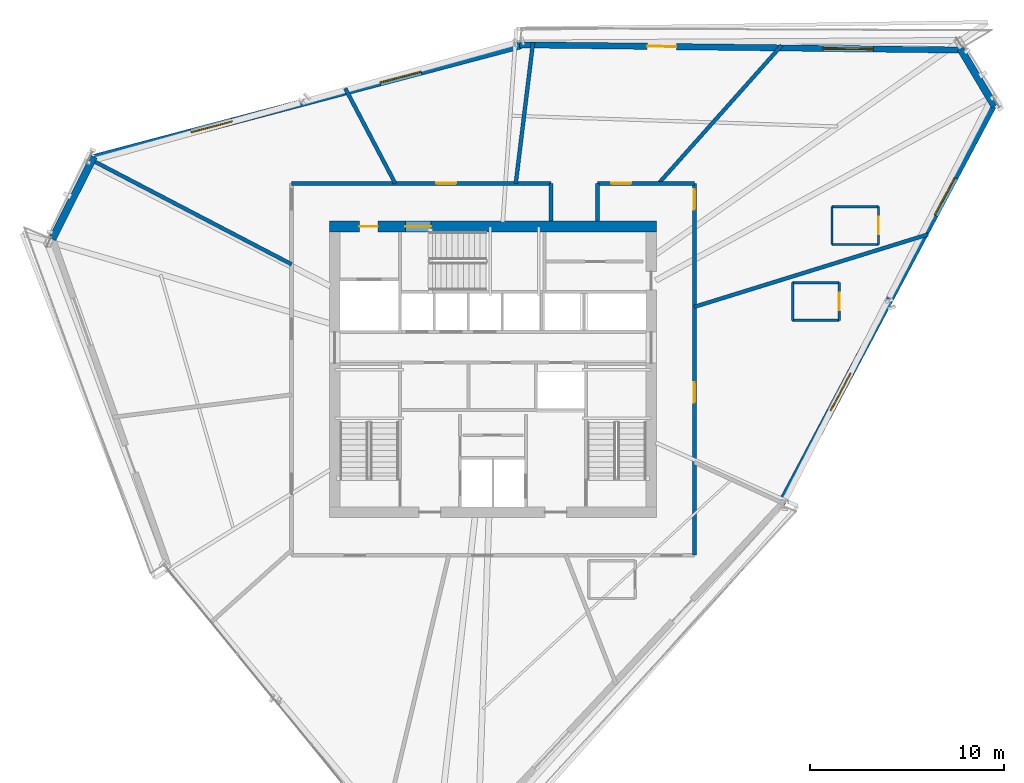
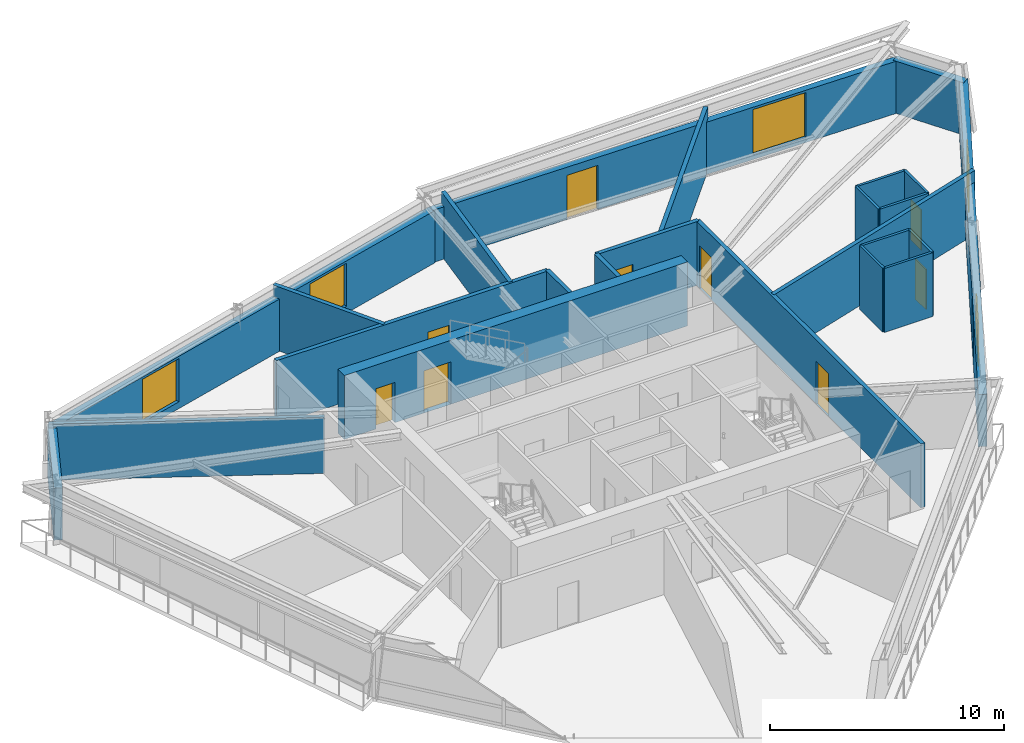
# One storey, part 11 of 15: 24 walls, 9 doors, 5 windows, 14 openings.
"""IFC4 building model written with IfcOpenShell, lengths in metres."""

from ifc_helpers import new_model, si_unit, direction, frame, frame_2d, origin, place, context, subcontext, project, spatial, rectangle, extrude, source, transform, mapped, material, layer, layer_set, type_object, type_shapes, element, fill, save


model = new_model("IFC4")

# Units and contexts
model_context = context("Model", 3, precision=1e-05, world=origin(), true_north=direction((0.0, 1.0)))
body_context = subcontext(model_context, "Body", "Model", "MODEL_VIEW")
ifc_project = project(units=[si_unit("LENGTHUNIT", "METRE"), si_unit("AREAUNIT", "SQUARE_METRE"), si_unit("VOLUMEUNIT", "CUBIC_METRE"), si_unit("PLANEANGLEUNIT", "RADIAN"), si_unit("MASSUNIT", "GRAM", prefix="KILO")], contexts=[model_context])

# Site, building, storey
site_placement = place(None, origin())
site = spatial("IfcSite", under=ifc_project, at=site_placement, CompositionType="ELEMENT")
building_placement = place(site_placement, origin())
building = spatial("IfcBuilding", under=site, at=building_placement, Name="Olszyna Solenne Hotel", CompositionType="ELEMENT")
storey_placement = place(building_placement, frame((0.0, 0.0, 160.800048828125)))
storey = spatial("IfcBuildingStorey", under=building, at=storey_placement, Name="L42", CompositionType="ELEMENT", Elevation=160.800048828125)

# Wall, openings, doors
ifc_material_1 = material(Name="Concrete C50/60", Category="concrete")
ifc_layer_1 = layer(ifc_material_1, 0.550048828125, Name="Concrete C50/60")
ifc_layer_set_1 = layer_set([ifc_layer_1], Name="Concrete C50/60")
wall_type_1 = type_object("IfcWallType", Name="WL-CR550", PredefinedType="SHEAR", material=ifc_layer_set_1)
wall_1_placement = place(storey_placement, frame((29.550048828125, 33.97509765625, 0.0), z_axis=(0.0, 0.0, 1.0), x_axis=(1.0, 0.0, 0.0)))
wall_1 = element("IfcWall", 1, at=wall_1_placement, inside=storey, type_object=wall_type_1, Name="Core shear wall WL-CR550 CRW-L42-N", PredefinedType="SHEAR", context=body_context, shape_type="SweptSolid", body=[
    extrude(rectangle(XDim=16.89990234375, YDim=0.550048828125, at=frame_2d((8.449951171875, 0.0))), origin(), (0.0, 0.0, 1.0), 3.329833984375),
])
opening_1_placement = place(wall_1_placement, frame((1.550048828125, 0.0, 0.0)))
opening_1 = element("IfcOpeningElement", 2, at=opening_1_placement, cuts=wall_1, Name="Opening SVD-L42-01", PredefinedType="OPENING", context=body_context, shape_type="SweptSolid", body=[
    extrude(rectangle(XDim=0.949951171875, YDim=2.10009765625, at=frame_2d((0.47509765625, 1.050048828125))), frame((0.0, 0.28515625, 0.0), z_axis=(0.0, -1.0, 0.0), x_axis=(1.0, 0.0, 0.0)), (0.0, 0.0, 1.0), 0.570068359375),
])
opening_2_placement = place(wall_1_placement, frame((3.929931640625, 0.0, 0.0)))
opening_2 = element("IfcOpeningElement", 3, at=opening_2_placement, cuts=wall_1, Name="Opening STD-L42-03", PredefinedType="OPENING", context=body_context, shape_type="SweptSolid", body=[
    extrude(rectangle(XDim=1.320068359375, YDim=2.199951171875, at=frame_2d((0.66015625, 1.10009765625))), frame((0.0, 0.28515625, 0.0), z_axis=(0.0, -1.0, 0.0), x_axis=(1.0, 0.0, 0.0)), (0.0, 0.0, 1.0), 0.570068359375),
])
ifc_material_2 = material(Name="Steel S355J2", Category="steel")
door_type_1 = type_object("IfcDoorType", Name="DR-ST1", OperationType="NOTDEFINED", PredefinedType="DOOR", material=ifc_material_2)
shared_shape_1 = source(origin(), body_context, "Body", "SweptSolid", [
    extrude(rectangle(XDim=1.320068359375, YDim=2.199951171875, at=frame_2d((0.66015625, 1.10009765625))), frame((0.0, 0.02490234375, 0.0), z_axis=(0.0, -1.0, 0.0), x_axis=(1.0, 0.0, 0.0)), (0.0, 0.0, 1.0), 0.050048828125),
])
type_shapes(door_type_1, [shared_shape_1])
door_1_placement = place(opening_2_placement, origin())
door_1 = element("IfcDoor", 4, at=door_1_placement, inside=storey, type_object=door_type_1, Name="Pressurised exit stair ST3 fire door STD-L42-03", OperationType="SINGLE_SWING_RIGHT", OverallHeight=2.199951171875, OverallWidth=1.320068359375, PredefinedType="DOOR", context=body_context, shape_type="MappedRepresentation", body=[
    mapped(shared_shape_1, transform((0.0, 0.0, 0.0), x_axis=(1.0, 0.0, 0.0), y_axis=(0.0, 1.0, 0.0), z_axis=(0.0, 0.0, 1.0), scale=1.0)),
])
fill(opening_2, door_1)
door_type_2 = type_object("IfcDoorType", Name="DR-SV1", OperationType="NOTDEFINED", PredefinedType="DOOR", material=ifc_material_2)
shared_shape_2 = source(origin(), body_context, "Body", "SweptSolid", [
    extrude(rectangle(XDim=0.949951171875, YDim=2.10009765625, at=frame_2d((0.47509765625, 1.050048828125))), frame((0.0, 0.02490234375, 0.0), z_axis=(0.0, -1.0, 0.0), x_axis=(1.0, 0.0, 0.0)), (0.0, 0.0, 1.0), 0.050048828125),
])
type_shapes(door_type_2, [shared_shape_2])
door_2_placement = place(opening_1_placement, origin())
door_2 = element("IfcDoor", 5, at=door_2_placement, inside=storey, type_object=door_type_2, Name="Service lift lobby fire door SVD-L42-01", OperationType="SINGLE_SWING_LEFT", OverallHeight=2.10009765625, OverallWidth=0.949951171875, PredefinedType="DOOR", context=body_context, shape_type="MappedRepresentation", body=[
    mapped(shared_shape_2, transform((0.0, 0.0, 0.0), x_axis=(1.0, 0.0, 0.0), y_axis=(0.0, 1.0, 0.0), z_axis=(0.0, 0.0, 1.0), scale=1.0)),
])
fill(opening_1, door_2)

# Wall, openings, door, window
ifc_material_3 = material(Name="Precast concrete C45/55", Category="concrete")
ifc_layer_2 = layer(ifc_material_3, 0.320068359375, Name="Precast concrete C45/55")
ifc_layer_set_2 = layer_set([ifc_layer_2], Name="Precast concrete C45/55")
wall_type_2 = type_object("IfcWallType", Name="WL-EX320", PredefinedType="SOLIDWALL", material=ifc_layer_set_2)
wall_2_placement = place(storey_placement, frame((39.3798828125, 43.358642578125, 0.0), z_axis=(0.0, 0.0, 1.0), x_axis=(0.999929231853, -0.011896692251, 0.0)))
wall_2 = element("IfcWall", 6, at=wall_2_placement, inside=storey, type_object=wall_type_2, Name="Exterior terracotta-precast frame wall WL-EX320 EW-L42-08", PredefinedType="SOLIDWALL", context=body_context, shape_type="SweptSolid", body=[
    extrude(rectangle(XDim=22.9228515625, YDim=0.320068359375, at=frame_2d((11.46142578125, 0.0))), origin(), (0.0, 0.0, 1.0), 2.721923828125),
])
opening_3_placement = place(wall_2_placement, frame((6.5849609375, 0.0, 0.0)))
opening_3 = element("IfcOpeningElement", 7, at=opening_3_placement, cuts=wall_2, Name="Opening LDG-L42-1", PredefinedType="OPENING", context=body_context, shape_type="SweptSolid", body=[
    extrude(rectangle(XDim=1.5, YDim=2.300048828125, at=frame_2d((0.75, 1.14990234375))), frame((0.0, 0.169921875, 0.0), z_axis=(0.0, -1.0, 0.0), x_axis=(1.0, 0.0, 0.0)), (0.0, 0.0, 1.0), 0.340087890625),
])
opening_4_placement = place(wall_2_placement, frame((15.6630859375, 0.0, 0.251953125)))
opening_4 = element("IfcOpeningElement", 8, at=opening_4_placement, cuts=wall_2, Name="Opening WN-L42-259", PredefinedType="OPENING", context=body_context, shape_type="SweptSolid", body=[
    extrude(rectangle(XDim=2.60009765625, YDim=2.35009765625, at=frame_2d((1.300048828125, 1.175048828125))), frame((0.0, 0.169921875, 0.0), z_axis=(0.0, -1.0, 0.0), x_axis=(1.0, 0.0, 0.0)), (0.0, 0.0, 1.0), 0.340087890625),
])
ifc_material_4 = material(Name="Anodised bronze aluminium", Category="aluminium")
door_type_3 = type_object("IfcDoorType", Name="DR-LG2", OperationType="DOUBLE_DOOR_SINGLE_SWING", PredefinedType="DOOR", material=ifc_material_4)
shared_shape_3 = source(origin(), body_context, "Body", "SweptSolid", [
    extrude(rectangle(XDim=1.5, YDim=2.300048828125, at=frame_2d((0.75, 1.14990234375))), frame((0.0, 0.02490234375, 0.0), z_axis=(0.0, -1.0, 0.0), x_axis=(1.0, 0.0, 0.0)), (0.0, 0.0, 1.0), 0.050048828125),
])
type_shapes(door_type_3, [shared_shape_3])
door_3_placement = place(opening_3_placement, origin())
door_3 = element("IfcDoor", 9, at=door_3_placement, inside=storey, type_object=door_type_3, Name="Exterior loggia balcony door DR-LG2 LDG-L42-1", OperationType="DOUBLE_DOOR_SINGLE_SWING", OverallHeight=2.300048828125, OverallWidth=1.5, PredefinedType="DOOR", context=body_context, shape_type="MappedRepresentation", body=[
    mapped(shared_shape_3, transform((0.0, 0.0, 0.0), x_axis=(1.0, 0.0, 0.0), y_axis=(0.0, 1.0, 0.0), z_axis=(0.0, 0.0, 1.0), scale=1.0)),
])
fill(opening_3, door_3)
ifc_material_5 = material(Name="Low-E triple glazing", Category="glass")
window_type_1 = type_object("IfcWindowType", Name="WN-ST1", PartitioningType="SINGLE_PANEL", PredefinedType="WINDOW", material=ifc_material_5)
shared_shape_4 = source(origin(), body_context, "Body", "SweptSolid", [
    extrude(rectangle(XDim=2.60009765625, YDim=2.35009765625, at=frame_2d((1.300048828125, 1.175048828125))), frame((0.0, 0.030029296875, 0.0), z_axis=(0.0, -1.0, 0.0), x_axis=(1.0, 0.0, 0.0)), (0.0, 0.0, 1.0), 0.06005859375),
])
type_shapes(window_type_1, [shared_shape_4])
window_1_placement = place(opening_4_placement, origin())
window_1 = element("IfcWindow", 10, at=window_1_placement, inside=storey, type_object=window_type_1, Name="Loggia room window WN-ST1 WN-L42-259", OverallHeight=2.35009765625, OverallWidth=2.60009765625, PartitioningType="SINGLE_PANEL", PredefinedType="WINDOW", context=body_context, shape_type="MappedRepresentation", body=[
    mapped(shared_shape_4, transform((0.0, 0.0, 0.0), x_axis=(1.0, 0.0, 0.0), y_axis=(0.0, 1.0, 0.0), z_axis=(0.0, 0.0, 1.0), scale=1.0)),
])
fill(opening_4, window_1)

# Wall
ifc_material_6 = material(Name="Terracotta cladding on precast concrete C45/55", Category="masonry")
ifc_layer_3 = layer(ifc_material_6, 0.3798828125, Name="Terracotta cladding on precast concrete C45/55")
ifc_layer_set_3 = layer_set([ifc_layer_3], Name="Terracotta cladding on precast concrete C45/55")
wall_type_3 = type_object("IfcWallType", Name="WL-EX380", PredefinedType="SOLIDWALL", material=ifc_layer_set_3)
wall_3_placement = place(storey_placement, frame((15.23583984375, 33.3212890625, 0.0), z_axis=(0.0, 0.0, 1.0), x_axis=(0.450831311433, 0.892609169028, 0.0)))
element("IfcWall", 11, at=wall_3_placement, inside=storey, type_object=wall_type_3, Name="Exterior terracotta-precast frame wall WL-EX380 EW-L42-06", PredefinedType="SOLIDWALL", context=body_context, shape_type="SweptSolid", body=[
    extrude(rectangle(XDim=4.773193359375, YDim=0.3798828125, at=frame_2d((2.38671875, 0.0))), origin(), (0.0, 0.0, 1.0), 2.721923828125),
])

# Wall, openings, windows
wall_4_placement = place(storey_placement, frame((17.2666015625, 37.48388671875, 0.0), z_axis=(0.0, 0.0, 1.0), x_axis=(0.966875026681, 0.255250235613, 0.0)))
wall_4 = element("IfcWall", 12, at=wall_4_placement, inside=storey, type_object=wall_type_3, Name="Exterior terracotta-precast frame wall WL-EX380 EW-L42-07", PredefinedType="SOLIDWALL", context=body_context, shape_type="SweptSolid", body=[
    extrude(rectangle(XDim=22.9228515625, YDim=0.3798828125, at=frame_2d((11.46142578125, 0.0))), origin(), (0.0, 0.0, 1.0), 2.721923828125),
])
opening_5_placement = place(wall_4_placement, frame((5.318115234375, 0.0, 0.35205078125)))
opening_5 = element("IfcOpeningElement", 13, at=opening_5_placement, cuts=wall_4, Name="Opening WN-L42-257", PredefinedType="OPENING", context=body_context, shape_type="SweptSolid", body=[
    extrude(rectangle(XDim=2.199951171875, YDim=2.25, at=frame_2d((1.10009765625, 1.125))), frame((0.0, 0.199951171875, 0.0), z_axis=(0.0, -1.0, 0.0), x_axis=(1.0, 0.0, 0.0)), (0.0, 0.0, 1.0), 0.39990234375),
])
opening_6_placement = place(wall_4_placement, frame((15.405029296875, 0.0, 0.35205078125)))
opening_6 = element("IfcOpeningElement", 14, at=opening_6_placement, cuts=wall_4, Name="Opening WN-L42-258", PredefinedType="OPENING", context=body_context, shape_type="SweptSolid", body=[
    extrude(rectangle(XDim=2.199951171875, YDim=2.25, at=frame_2d((1.10009765625, 1.125))), frame((0.0, 0.199951171875, 0.0), z_axis=(0.0, -1.0, 0.0), x_axis=(1.0, 0.0, 0.0)), (0.0, 0.0, 1.0), 0.39990234375),
])
window_type_2 = type_object("IfcWindowType", Name="WN-HT2", PartitioningType="SINGLE_PANEL", PredefinedType="WINDOW", material=ifc_material_5)
shared_shape_5 = source(origin(), body_context, "Body", "SweptSolid", [
    extrude(rectangle(XDim=2.199951171875, YDim=2.25, at=frame_2d((1.10009765625, 1.125))), frame((0.0, 0.030029296875, 0.0), z_axis=(0.0, -1.0, 0.0), x_axis=(1.0, 0.0, 0.0)), (0.0, 0.0, 1.0), 0.06005859375),
])
type_shapes(window_type_2, [shared_shape_5])
window_2_placement = place(opening_5_placement, origin())
window_2 = element("IfcWindow", 15, at=window_2_placement, inside=storey, type_object=window_type_2, Name="Exterior facade window WN-HT2 WN-L42-257", OverallHeight=2.25, OverallWidth=2.199951171875, PartitioningType="SINGLE_PANEL", PredefinedType="WINDOW", context=body_context, shape_type="MappedRepresentation", body=[
    mapped(shared_shape_5, transform((0.0, 0.0, 0.0), x_axis=(1.0, 0.0, 0.0), y_axis=(0.0, 1.0, 0.0), z_axis=(0.0, 0.0, 1.0), scale=1.0)),
])
fill(opening_5, window_2)
window_3_placement = place(opening_6_placement, origin())
window_3 = element("IfcWindow", 16, at=window_3_placement, inside=storey, type_object=window_type_2, Name="Exterior facade window WN-HT2 WN-L42-258", OverallHeight=2.25, OverallWidth=2.199951171875, PartitioningType="SINGLE_PANEL", PredefinedType="WINDOW", context=body_context, shape_type="MappedRepresentation", body=[
    mapped(shared_shape_5, transform((0.0, 0.0, 0.0), x_axis=(1.0, 0.0, 0.0), y_axis=(0.0, 1.0, 0.0), z_axis=(0.0, 0.0, 1.0), scale=1.0)),
])
fill(opening_6, window_3)

# Wall
wall_5_placement = place(storey_placement, frame((62.1396484375, 43.14892578125, 0.0), z_axis=(0.0, 0.0, 1.0), x_axis=(0.511323081813, -0.859388565205, 0.0)))
element("IfcWall", 17, at=wall_5_placement, inside=storey, type_object=wall_type_3, Name="Exterior terracotta-precast frame wall WL-EX380 EW-L42-09", PredefinedType="SOLIDWALL", context=body_context, shape_type="SweptSolid", body=[
    extrude(rectangle(XDim=3.444091796875, YDim=0.3798828125, at=frame_2d((1.72216796875, 0.0))), origin(), (0.0, 0.0, 1.0), 2.721923828125),
])

# Wall, openings, windows
wall_6_placement = place(storey_placement, frame((63.896240234375, 40.37548828125, 0.0), z_axis=(0.0, 0.0, 1.0), x_axis=(-0.469579724412, -0.882890073804, 0.0)))
wall_6 = element("IfcWall", 18, at=wall_6_placement, inside=storey, type_object=wall_type_3, Name="Exterior terracotta-precast frame wall WL-EX380 EW-L42-10", PredefinedType="SOLIDWALL", context=body_context, shape_type="SweptSolid", body=[
    extrude(rectangle(XDim=23.503173828125, YDim=0.3798828125, at=frame_2d((11.75146484375, 0.0))), origin(), (0.0, 0.0, 1.0), 2.721923828125),
])
opening_7_placement = place(wall_6_placement, frame((4.381103515625, 0.0, 0.35205078125)))
opening_7 = element("IfcOpeningElement", 19, at=opening_7_placement, cuts=wall_6, Name="Opening WN-L42-260", PredefinedType="OPENING", context=body_context, shape_type="SweptSolid", body=[
    extrude(rectangle(XDim=2.199951171875, YDim=2.25, at=frame_2d((1.10009765625, 1.125))), frame((0.0, 0.199951171875, 0.0), z_axis=(0.0, -1.0, 0.0), x_axis=(1.0, 0.0, 0.0)), (0.0, 0.0, 1.0), 0.39990234375),
])
opening_8_placement = place(wall_6_placement, frame((15.822021484375, 0.0, 0.35205078125)))
opening_8 = element("IfcOpeningElement", 20, at=opening_8_placement, cuts=wall_6, Name="Opening WN-L42-261", PredefinedType="OPENING", context=body_context, shape_type="SweptSolid", body=[
    extrude(rectangle(XDim=2.199951171875, YDim=2.25, at=frame_2d((1.10009765625, 1.125))), frame((0.0, 0.199951171875, 0.0), z_axis=(0.0, -1.0, 0.0), x_axis=(1.0, 0.0, 0.0)), (0.0, 0.0, 1.0), 0.39990234375),
])
window_4_placement = place(opening_7_placement, origin())
window_4 = element("IfcWindow", 21, at=window_4_placement, inside=storey, type_object=window_type_2, Name="Exterior facade window WN-HT2 WN-L42-260", OverallHeight=2.25, OverallWidth=2.199951171875, PartitioningType="SINGLE_PANEL", PredefinedType="WINDOW", context=body_context, shape_type="MappedRepresentation", body=[
    mapped(shared_shape_5, transform((0.0, 0.0, 0.0), x_axis=(1.0, 0.0, 0.0), y_axis=(0.0, 1.0, 0.0), z_axis=(0.0, 0.0, 1.0), scale=1.0)),
])
fill(opening_7, window_4)
window_5_placement = place(opening_8_placement, origin())
window_5 = element("IfcWindow", 22, at=window_5_placement, inside=storey, type_object=window_type_2, Name="Exterior facade window WN-HT2 WN-L42-261", OverallHeight=2.25, OverallWidth=2.199951171875, PartitioningType="SINGLE_PANEL", PredefinedType="WINDOW", context=body_context, shape_type="MappedRepresentation", body=[
    mapped(shared_shape_5, transform((0.0, 0.0, 0.0), x_axis=(1.0, 0.0, 0.0), y_axis=(0.0, 1.0, 0.0), z_axis=(0.0, 0.0, 1.0), scale=1.0)),
])
fill(opening_8, window_5)

# Wall, opening, door
ifc_material_7 = material(Name="Acoustic gypsum partition", Category="gypsum")
ifc_layer_4 = layer(ifc_material_7, 0.125, Name="Acoustic gypsum partition")
ifc_layer_set_4 = layer_set([ifc_layer_4], Name="Acoustic gypsum partition")
wall_type_4 = type_object("IfcWallType", Name="WL-PT125", PredefinedType="PARTITIONING", material=ifc_layer_set_4)
wall_7_placement = place(storey_placement, frame((55.875, 29.131103515625, 0.0), z_axis=(0.0, 0.0, 1.0), x_axis=(0.0, 1.0, 0.0)))
wall_7 = element("IfcWall", 23, at=wall_7_placement, inside=storey, type_object=wall_type_4, Name="Interior acoustic partition WL-PT125 PW-L42-2378", PredefinedType="PARTITIONING", context=body_context, shape_type="SweptSolid", body=[
    extrude(rectangle(XDim=1.949951171875, YDim=0.125, at=frame_2d((0.97509765625, 0.0))), origin(), (0.0, 0.0, 1.0), 3.329833984375),
])
opening_9_placement = place(wall_7_placement, frame((0.52490234375, 0.0, 0.0)))
opening_9 = element("IfcOpeningElement", 24, at=opening_9_placement, cuts=wall_7, Name="Opening DR-L42-0571", PredefinedType="OPENING", context=body_context, shape_type="SweptSolid", body=[
    extrude(rectangle(XDim=0.89990234375, YDim=2.10009765625, at=frame_2d((0.449951171875, 1.050048828125))), frame((0.0, 0.072509765625, 0.0), z_axis=(0.0, -1.0, 0.0), x_axis=(1.0, 0.0, 0.0)), (0.0, 0.0, 1.0), 0.14501953125),
])
ifc_material_8 = material(Name="Timber hardwood", Category="wood")
door_type_4 = type_object("IfcDoorType", Name="DR-WC1", OperationType="NOTDEFINED", PredefinedType="DOOR", material=ifc_material_8)
shared_shape_6 = source(origin(), body_context, "Body", "SweptSolid", [
    extrude(rectangle(XDim=0.89990234375, YDim=2.10009765625, at=frame_2d((0.449951171875, 1.050048828125))), frame((0.0, 0.02490234375, 0.0), z_axis=(0.0, -1.0, 0.0), x_axis=(1.0, 0.0, 0.0)), (0.0, 0.0, 1.0), 0.050048828125),
])
type_shapes(door_type_4, [shared_shape_6])
door_4_placement = place(opening_9_placement, origin())
door_4 = element("IfcDoor", 25, at=door_4_placement, inside=storey, type_object=door_type_4, Name="En-Suite Bathroom Door DR-L42-0571", OperationType="SINGLE_SWING_LEFT", OverallHeight=2.10009765625, OverallWidth=0.89990234375, PredefinedType="DOOR", context=body_context, shape_type="MappedRepresentation", body=[
    mapped(shared_shape_6, transform((0.0, 0.0, 0.0), x_axis=(1.0, 0.0, 0.0), y_axis=(0.0, 1.0, 0.0), z_axis=(0.0, 0.0, 1.0), scale=1.0)),
])
fill(opening_9, door_4)

# Walls
wall_8_placement = place(storey_placement, frame((55.875, 31.0810546875, 0.0), z_axis=(0.0, 0.0, 1.0), x_axis=(-1.0, 0.0, 0.0)))
element("IfcWall", 26, at=wall_8_placement, inside=storey, type_object=wall_type_4, Name="Interior acoustic partition WL-PT125 PW-L42-2379", PredefinedType="PARTITIONING", context=body_context, shape_type="SweptSolid", body=[
    extrude(rectangle(XDim=2.39990234375, YDim=0.125, at=frame_2d((1.199951171875, 0.0))), origin(), (0.0, 0.0, 1.0), 3.329833984375),
])
wall_9_placement = place(storey_placement, frame((53.47509765625, 31.0810546875, 0.0), z_axis=(0.0, 0.0, 1.0), x_axis=(0.0, -1.0, 0.0)))
element("IfcWall", 27, at=wall_9_placement, inside=storey, type_object=wall_type_4, Name="Interior acoustic partition WL-PT125 PW-L42-2380", PredefinedType="PARTITIONING", context=body_context, shape_type="SweptSolid", body=[
    extrude(rectangle(XDim=1.949951171875, YDim=0.125, at=frame_2d((0.97509765625, 0.0))), origin(), (0.0, 0.0, 1.0), 3.329833984375),
])
wall_10_placement = place(storey_placement, frame((53.47509765625, 29.131103515625, 0.0), z_axis=(0.0, 0.0, 1.0), x_axis=(1.0, 0.0, 0.0)))
element("IfcWall", 28, at=wall_10_placement, inside=storey, type_object=wall_type_4, Name="Interior acoustic partition WL-PT125 PW-L42-2381", PredefinedType="PARTITIONING", context=body_context, shape_type="SweptSolid", body=[
    extrude(rectangle(XDim=2.39990234375, YDim=0.125, at=frame_2d((1.199951171875, 0.0))), origin(), (0.0, 0.0, 1.0), 3.329833984375),
])

# Wall, opening, door
wall_11_placement = place(storey_placement, frame((57.905029296875, 33.0458984375, 0.0), z_axis=(0.0, 0.0, 1.0), x_axis=(0.0, 1.0, 0.0)))
wall_11 = element("IfcWall", 29, at=wall_11_placement, inside=storey, type_object=wall_type_4, Name="Interior acoustic partition WL-PT125 PW-L42-2382", PredefinedType="PARTITIONING", context=body_context, shape_type="SweptSolid", body=[
    extrude(rectangle(XDim=1.9501953125, YDim=0.125, at=frame_2d((0.97509765625, 0.0))), origin(), (0.0, 0.0, 1.0), 3.329833984375),
])
opening_10_placement = place(wall_11_placement, frame((0.52490234375, 0.0, 0.0)))
opening_10 = element("IfcOpeningElement", 30, at=opening_10_placement, cuts=wall_11, Name="Opening DR-L42-0572", PredefinedType="OPENING", context=body_context, shape_type="SweptSolid", body=[
    extrude(rectangle(XDim=0.89990234375, YDim=2.10009765625, at=frame_2d((0.449951171875, 1.050048828125))), frame((0.0, 0.072509765625, 0.0), z_axis=(0.0, -1.0, 0.0), x_axis=(1.0, 0.0, 0.0)), (0.0, 0.0, 1.0), 0.14501953125),
])
door_5_placement = place(opening_10_placement, origin())
door_5 = element("IfcDoor", 31, at=door_5_placement, inside=storey, type_object=door_type_4, Name="En-Suite Bathroom Door DR-L42-0572", OperationType="SINGLE_SWING_LEFT", OverallHeight=2.10009765625, OverallWidth=0.89990234375, PredefinedType="DOOR", context=body_context, shape_type="MappedRepresentation", body=[
    mapped(shared_shape_6, transform((0.0, 0.0, 0.0), x_axis=(1.0, 0.0, 0.0), y_axis=(0.0, 1.0, 0.0), z_axis=(0.0, 0.0, 1.0), scale=1.0)),
])
fill(opening_10, door_5)

# Walls
wall_12_placement = place(storey_placement, frame((57.905029296875, 34.99609375, 0.0), z_axis=(0.0, 0.0, 1.0), x_axis=(-1.0, 0.0, 0.0)))
element("IfcWall", 32, at=wall_12_placement, inside=storey, type_object=wall_type_4, Name="Interior acoustic partition WL-PT125 PW-L42-2383", PredefinedType="PARTITIONING", context=body_context, shape_type="SweptSolid", body=[
    extrude(rectangle(XDim=2.400146484375, YDim=0.125, at=frame_2d((1.2001953125, 0.0))), origin(), (0.0, 0.0, 1.0), 3.329833984375),
])
wall_13_placement = place(storey_placement, frame((55.5048828125, 34.99609375, 0.0), z_axis=(0.0, 0.0, 1.0), x_axis=(0.0, -1.0, 0.0)))
element("IfcWall", 33, at=wall_13_placement, inside=storey, type_object=wall_type_4, Name="Interior acoustic partition WL-PT125 PW-L42-2384", PredefinedType="PARTITIONING", context=body_context, shape_type="SweptSolid", body=[
    extrude(rectangle(XDim=1.9501953125, YDim=0.125, at=frame_2d((0.97509765625, 0.0))), origin(), (0.0, 0.0, 1.0), 3.329833984375),
])
wall_14_placement = place(storey_placement, frame((55.5048828125, 33.0458984375, 0.0), z_axis=(0.0, 0.0, 1.0), x_axis=(1.0, 0.0, 0.0)))
element("IfcWall", 34, at=wall_14_placement, inside=storey, type_object=wall_type_4, Name="Interior acoustic partition WL-PT125 PW-L42-2385", PredefinedType="PARTITIONING", context=body_context, shape_type="SweptSolid", body=[
    extrude(rectangle(XDim=2.400146484375, YDim=0.125, at=frame_2d((1.2001953125, 0.0))), origin(), (0.0, 0.0, 1.0), 3.329833984375),
])
ifc_layer_5 = layer(ifc_material_7, 0.199951171875, Name="Acoustic gypsum partition")
ifc_layer_set_5 = layer_set([ifc_layer_5], Name="Acoustic gypsum partition")
wall_type_5 = type_object("IfcWallType", Name="WL-PT200", PredefinedType="PARTITIONING", material=ifc_layer_set_5)
wall_15_placement = place(storey_placement, frame((46.55322265625, 36.199951171875, 0.0), z_axis=(0.0, 0.0, 1.0), x_axis=(0.665220558554, 0.746646910177, 0.0)))
element("IfcWall", 35, at=wall_15_placement, inside=storey, type_object=wall_type_5, Name="Interior acoustic partition WL-PT200 PW-L42-2364", PredefinedType="PARTITIONING", context=body_context, shape_type="SweptSolid", body=[
    extrude(rectangle(XDim=9.546630859375, YDim=0.199951171875, at=frame_2d((4.7734375, 0.0))), origin(), (0.0, 0.0, 1.0), 3.329833984375),
])
wall_16_placement = place(storey_placement, frame((39.17529296875, 36.199951171875, 0.0), z_axis=(0.0, 0.0, 1.0), x_axis=(0.121486313452, 0.992593106788, 0.0)))
element("IfcWall", 36, at=wall_16_placement, inside=storey, type_object=wall_type_5, Name="Interior acoustic partition WL-PT200 PW-L42-2365", PredefinedType="PARTITIONING", context=body_context, shape_type="SweptSolid", body=[
    extrude(rectangle(XDim=7.335205078125, YDim=0.199951171875, at=frame_2d((3.66748046875, 0.0))), origin(), (0.0, 0.0, 1.0), 3.329833984375),
])
wall_17_placement = place(storey_placement, frame((32.950927734375, 36.199951171875, 0.0), z_axis=(0.0, 0.0, 1.0), x_axis=(-0.465485147259, 0.885055691853, 0.0)))
element("IfcWall", 37, at=wall_17_placement, inside=storey, type_object=wall_type_5, Name="Interior acoustic partition WL-PT200 PW-L42-2366", PredefinedType="PARTITIONING", context=body_context, shape_type="SweptSolid", body=[
    extrude(rectangle(XDim=5.5458984375, YDim=0.199951171875, at=frame_2d((2.77294921875, 0.0))), origin(), (0.0, 0.0, 1.0), 3.329833984375),
])
wall_18_placement = place(storey_placement, frame((27.60009765625, 32.022705078125, 0.0), z_axis=(0.0, 0.0, 1.0), x_axis=(-0.886710795581, 0.462324523468, 0.0)))
element("IfcWall", 38, at=wall_18_placement, inside=storey, type_object=wall_type_5, Name="Interior acoustic partition WL-PT200 PW-L42-2367", PredefinedType="PARTITIONING", context=body_context, shape_type="SweptSolid", body=[
    extrude(rectangle(XDim=11.782958984375, YDim=0.199951171875, at=frame_2d((5.8916015625, 0.0))), origin(), (0.0, 0.0, 1.0), 2.925048828125),
])
wall_19_placement = place(storey_placement, frame((48.39990234375, 29.826171875, 0.0), z_axis=(0.0, 0.0, 1.0), x_axis=(0.955101512308, 0.296278755883, 0.0)))
element("IfcWall", 39, at=wall_19_placement, inside=storey, type_object=wall_type_5, Name="Interior acoustic partition WL-PT200 PW-L42-2373", PredefinedType="PARTITIONING", context=body_context, shape_type="SweptSolid", body=[
    extrude(rectangle(XDim=12.622314453125, YDim=0.199951171875, at=frame_2d((6.31103515625, 0.0))), origin(), (0.0, 0.0, 1.0), 3.329833984375),
])

# Wall, opening, door
wall_20_placement = place(storey_placement, frame((27.60009765625, 36.199951171875, 0.0), z_axis=(0.0, 0.0, 1.0), x_axis=(1.0, 0.0, 0.0)))
wall_20 = element("IfcWall", 40, at=wall_20_placement, inside=storey, type_object=wall_type_5, Name="Interior acoustic partition WL-PT200 PW-L42-2388", PredefinedType="PARTITIONING", context=body_context, shape_type="SweptSolid", body=[
    extrude(rectangle(XDim=13.39990234375, YDim=0.199951171875, at=frame_2d((6.699951171875, 0.0))), origin(), (0.0, 0.0, 1.0), 3.329833984375),
])
opening_11_placement = place(wall_20_placement, frame((7.4609375, 0.0, 0.0)))
opening_11 = element("IfcOpeningElement", 41, at=opening_11_placement, cuts=wall_20, Name="Opening DR-L42-0579", PredefinedType="OPENING", context=body_context, shape_type="SweptSolid", body=[
    extrude(rectangle(XDim=1.050048828125, YDim=2.199951171875, at=frame_2d((0.52490234375, 1.10009765625))), frame((0.0, 0.10986328125, 0.0), z_axis=(0.0, -1.0, 0.0), x_axis=(1.0, 0.0, 0.0)), (0.0, 0.0, 1.0), 0.219970703125),
])
door_type_5 = type_object("IfcDoorType", Name="DR-RM2", OperationType="NOTDEFINED", PredefinedType="DOOR", material=ifc_material_8)
shared_shape_7 = source(origin(), body_context, "Body", "SweptSolid", [
    extrude(rectangle(XDim=1.050048828125, YDim=2.199951171875, at=frame_2d((0.52490234375, 1.10009765625))), frame((0.0, 0.02490234375, 0.0), z_axis=(0.0, -1.0, 0.0), x_axis=(1.0, 0.0, 0.0)), (0.0, 0.0, 1.0), 0.050048828125),
])
type_shapes(door_type_5, [shared_shape_7])
door_6_placement = place(opening_11_placement, origin())
door_6 = element("IfcDoor", 42, at=door_6_placement, inside=storey, type_object=door_type_5, Name="Private Business Office Entrance Door DR-L42-0579", OperationType="SINGLE_SWING_RIGHT", OverallHeight=2.199951171875, OverallWidth=1.050048828125, PredefinedType="DOOR", context=body_context, shape_type="MappedRepresentation", body=[
    mapped(shared_shape_7, transform((0.0, 0.0, 0.0), x_axis=(1.0, 0.0, 0.0), y_axis=(0.0, 1.0, 0.0), z_axis=(0.0, 0.0, 1.0), scale=1.0)),
])
fill(opening_11, door_6)

# Wall
wall_21_placement = place(storey_placement, frame((41.0, 34.25, 0.0), z_axis=(0.0, 0.0, 1.0), x_axis=(0.0, 1.0, 0.0)))
element("IfcWall", 43, at=wall_21_placement, inside=storey, type_object=wall_type_5, Name="Interior acoustic partition WL-PT200 PW-L42-2389", PredefinedType="PARTITIONING", context=body_context, shape_type="SweptSolid", body=[
    extrude(rectangle(XDim=1.949951171875, YDim=0.199951171875, at=frame_2d((0.97509765625, 0.0))), origin(), (0.0, 0.0, 1.0), 3.329833984375),
])

# Wall, opening, door
wall_22_placement = place(storey_placement, frame((43.39990234375, 36.199951171875, 0.0), z_axis=(0.0, 0.0, 1.0), x_axis=(1.0, 0.0, 0.0)))
wall_22 = element("IfcWall", 44, at=wall_22_placement, inside=storey, type_object=wall_type_5, Name="Interior acoustic partition WL-PT200 PW-L42-2390", PredefinedType="PARTITIONING", context=body_context, shape_type="SweptSolid", body=[
    extrude(rectangle(XDim=5.0, YDim=0.199951171875, at=frame_2d((2.5, 0.0))), origin(), (0.0, 0.0, 1.0), 3.329833984375),
])
opening_12_placement = place(wall_22_placement, frame((0.693115234375, 0.0, 0.0)))
opening_12 = element("IfcOpeningElement", 45, at=opening_12_placement, cuts=wall_22, Name="Opening DR-L42-0580", PredefinedType="OPENING", context=body_context, shape_type="SweptSolid", body=[
    extrude(rectangle(XDim=1.050048828125, YDim=2.199951171875, at=frame_2d((0.52490234375, 1.10009765625))), frame((0.0, 0.10986328125, 0.0), z_axis=(0.0, -1.0, 0.0), x_axis=(1.0, 0.0, 0.0)), (0.0, 0.0, 1.0), 0.219970703125),
])
door_7_placement = place(opening_12_placement, origin())
door_7 = element("IfcDoor", 46, at=door_7_placement, inside=storey, type_object=door_type_5, Name="Private Business Office Entrance Door DR-L42-0580", OperationType="SINGLE_SWING_LEFT", OverallHeight=2.199951171875, OverallWidth=1.050048828125, PredefinedType="DOOR", context=body_context, shape_type="MappedRepresentation", body=[
    mapped(shared_shape_7, transform((0.0, 0.0, 0.0), x_axis=(1.0, 0.0, 0.0), y_axis=(0.0, 1.0, 0.0), z_axis=(0.0, 0.0, 1.0), scale=1.0)),
])
fill(opening_12, door_7)

# Wall
wall_23_placement = place(storey_placement, frame((43.39990234375, 34.25, 0.0), z_axis=(0.0, 0.0, 1.0), x_axis=(0.0, 1.0, 0.0)))
element("IfcWall", 47, at=wall_23_placement, inside=storey, type_object=wall_type_5, Name="Interior acoustic partition WL-PT200 PW-L42-2391", PredefinedType="PARTITIONING", context=body_context, shape_type="SweptSolid", body=[
    extrude(rectangle(XDim=1.949951171875, YDim=0.199951171875, at=frame_2d((0.97509765625, 0.0))), origin(), (0.0, 0.0, 1.0), 3.329833984375),
])

# Wall, openings, doors
wall_24_placement = place(storey_placement, frame((48.39990234375, 17.0, 0.0), z_axis=(0.0, 0.0, 1.0), x_axis=(0.0, 1.0, 0.0)))
wall_24 = element("IfcWall", 48, at=wall_24_placement, inside=storey, type_object=wall_type_5, Name="Interior acoustic partition WL-PT200 PW-L42-2392", PredefinedType="PARTITIONING", context=body_context, shape_type="SweptSolid", body=[
    extrude(rectangle(XDim=19.199951171875, YDim=0.199951171875, at=frame_2d((9.60009765625, 0.0))), origin(), (0.0, 0.0, 1.0), 3.329833984375),
])
opening_13_placement = place(wall_24_placement, frame((7.875, 0.0, 0.0)))
opening_13 = element("IfcOpeningElement", 49, at=opening_13_placement, cuts=wall_24, Name="Opening DR-L42-0581", PredefinedType="OPENING", context=body_context, shape_type="SweptSolid", body=[
    extrude(rectangle(XDim=1.050048828125, YDim=2.199951171875, at=frame_2d((0.52490234375, 1.10009765625))), frame((0.0, 0.10986328125, 0.0), z_axis=(0.0, -1.0, 0.0), x_axis=(1.0, 0.0, 0.0)), (0.0, 0.0, 1.0), 0.219970703125),
])
opening_14_placement = place(wall_24_placement, frame((17.85009765625, 0.0, 0.0)))
opening_14 = element("IfcOpeningElement", 50, at=opening_14_placement, cuts=wall_24, Name="Opening DR-L42-0582", PredefinedType="OPENING", context=body_context, shape_type="SweptSolid", body=[
    extrude(rectangle(XDim=1.050048828125, YDim=2.199951171875, at=frame_2d((0.52490234375, 1.10009765625))), frame((0.0, 0.10986328125, 0.0), z_axis=(0.0, -1.0, 0.0), x_axis=(1.0, 0.0, 0.0)), (0.0, 0.0, 1.0), 0.219970703125),
])
door_8_placement = place(opening_13_placement, origin())
door_8 = element("IfcDoor", 51, at=door_8_placement, inside=storey, type_object=door_type_5, Name="Deluxe Hotel Guestroom Entrance Door DR-L42-0581", OperationType="SINGLE_SWING_LEFT", OverallHeight=2.199951171875, OverallWidth=1.050048828125, PredefinedType="DOOR", context=body_context, shape_type="MappedRepresentation", body=[
    mapped(shared_shape_7, transform((0.0, 0.0, 0.0), x_axis=(1.0, 0.0, 0.0), y_axis=(0.0, 1.0, 0.0), z_axis=(0.0, 0.0, 1.0), scale=1.0)),
])
fill(opening_13, door_8)
door_9_placement = place(opening_14_placement, origin())
door_9 = element("IfcDoor", 52, at=door_9_placement, inside=storey, type_object=door_type_5, Name="Executive Reading Salon Entrance Door DR-L42-0582", OperationType="SINGLE_SWING_RIGHT", OverallHeight=2.199951171875, OverallWidth=1.050048828125, PredefinedType="DOOR", context=body_context, shape_type="MappedRepresentation", body=[
    mapped(shared_shape_7, transform((0.0, 0.0, 0.0), x_axis=(1.0, 0.0, 0.0), y_axis=(0.0, 1.0, 0.0), z_axis=(0.0, 0.0, 1.0), scale=1.0)),
])
fill(opening_14, door_9)

save(model, "model.ifc")
